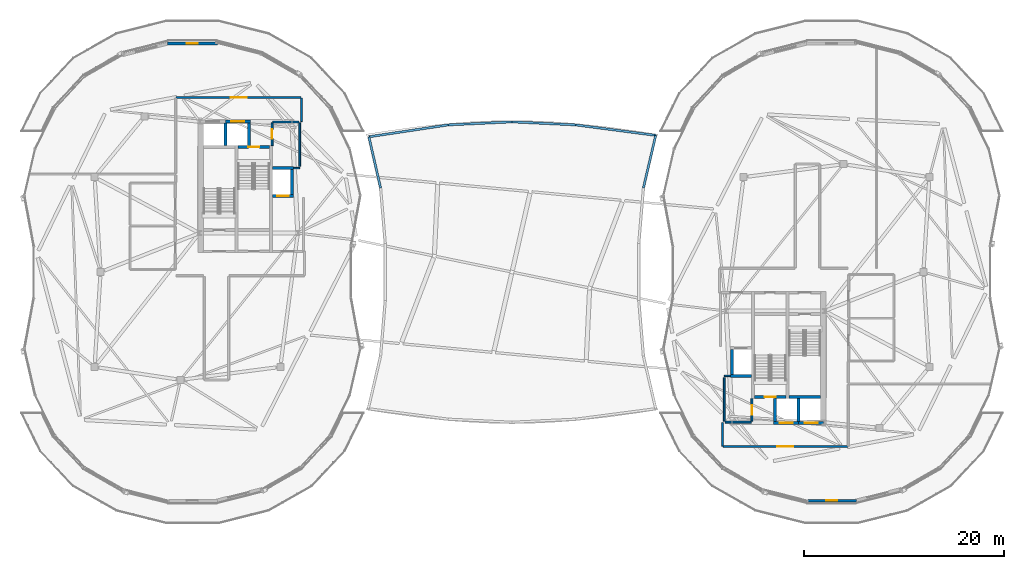
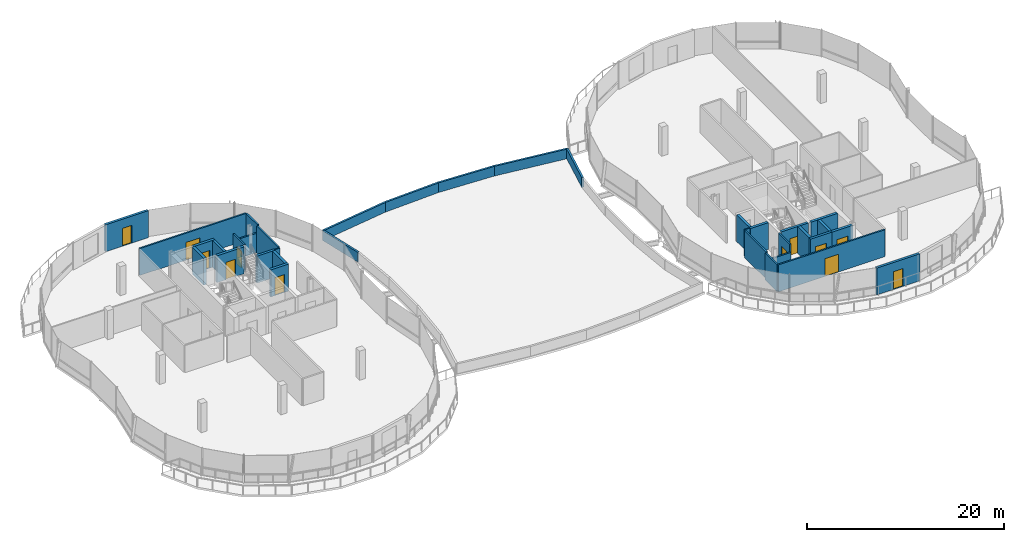
# One storey, part 21 of 31: 35 walls, 12 doors, 12 openings.
"""IFC4 building model written with IfcOpenShell, lengths in metres."""

from ifc_helpers import new_model, si_unit, direction, frame, frame_2d, origin, place, context, subcontext, project, spatial, rectangle, extrude, material, layer, layer_set, type_object, element, fill, save


model = new_model("IFC4")

# Units and contexts
model_context = context("Model", 3, precision=1e-05, world=origin(), true_north=direction((0.0, 1.0)))
body_context = subcontext(model_context, "Body", "Model", "MODEL_VIEW")
ifc_project = project(units=[si_unit("LENGTHUNIT", "METRE"), si_unit("AREAUNIT", "SQUARE_METRE"), si_unit("VOLUMEUNIT", "CUBIC_METRE"), si_unit("PLANEANGLEUNIT", "RADIAN"), si_unit("MASSUNIT", "GRAM", prefix="KILO"), si_unit("THERMODYNAMICTEMPERATUREUNIT", "KELVIN"), si_unit("POWERUNIT", "WATT")], contexts=[model_context])

# Site, building, storey
site_placement = place(None, origin())
site = spatial("IfcSite", under=ifc_project, at=site_placement, CompositionType="ELEMENT")
building_placement = place(site_placement, origin())
building = spatial("IfcBuilding", under=site, at=building_placement, Name="Cundina Bronze Exchange", CompositionType="ELEMENT")
storey_placement = place(building_placement, frame((0.0, 0.0, 275.60009765625)))
storey = spatial("IfcBuildingStorey", under=building, at=storey_placement, Name="L73", CompositionType="ELEMENT", Elevation=275.60009765625)

# Walls
ifc_material_1 = material(Name="Gypsum Fireboard Partition EI120")
ifc_layer_1 = layer(ifc_material_1, 0.179931640625, Name="Gypsum Fireboard Partition EI120")
ifc_layer_set_1 = layer_set([ifc_layer_1], Name="Gypsum Fireboard Partition EI120")
wall_type_1 = type_object("IfcWallType", Name="WL-COR-180", PredefinedType="PARTITIONING", material=ifc_layer_set_1)
wall_1_placement = place(storey_placement, frame((-21.25, 10.570068359375, 0.0), z_axis=(0.0, 0.0, 1.0), x_axis=(0.0, 1.0, 0.0)))
element("IfcWall", 1, at=wall_1_placement, inside=storey, type_object=wall_type_1, Name="L73 Interior Partition 002", PredefinedType="PARTITIONING", context=body_context, shape_type="SweptSolid", body=[
    extrude(rectangle(XDim=4.35986328125, YDim=0.179931640625, at=frame_2d((2.179931640625, 0.0))), origin(), (0.0, 0.0, 1.0), 3.33984375),
])
wall_2_placement = place(storey_placement, frame((-23.9599609375, 15.030029296875, 0.0), z_axis=(0.0, 0.0, 1.0), x_axis=(1.0, 0.0, 0.0)))
element("IfcWall", 2, at=wall_2_placement, inside=storey, type_object=wall_type_1, Name="L73 Interior Partition 003", PredefinedType="PARTITIONING", context=body_context, shape_type="SweptSolid", body=[
    extrude(rectangle(XDim=2.60986328125, YDim=0.179931640625, at=frame_2d((1.304931640625, 0.0))), origin(), (0.0, 0.0, 1.0), 2.412841796875),
])

# Wall, opening, door
wall_3_placement = place(storey_placement, frame((-24.02001953125, 12.669921875, 0.0), z_axis=(0.0, 0.0, 1.0), x_axis=(0.0, 1.0, 0.0)))
wall_3 = element("IfcWall", 3, at=wall_3_placement, inside=storey, type_object=wall_type_1, Name="L73 Interior Partition 005", PredefinedType="PARTITIONING", context=body_context, shape_type="SweptSolid", body=[
    extrude(rectangle(XDim=2.260009765625, YDim=0.179931640625, at=frame_2d((1.1298828125, 0.0))), origin(), (0.0, 0.0, 1.0), 3.33984375),
])
opening_1_placement = place(wall_3_placement, frame((0.655029296875, 0.0, 0.0)))
opening_1 = element("IfcOpeningElement", 4, at=opening_1_placement, cuts=wall_3, Name="Opening DW-01", PredefinedType="OPENING", context=body_context, shape_type="SweptSolid", body=[
    extrude(rectangle(XDim=0.949951171875, YDim=2.10009765625, at=frame_2d((0.47509765625, 1.050048828125))), frame((0.0, 0.099853515625, 0.0), z_axis=(0.0, -1.0, 0.0), x_axis=(1.0, 0.0, 0.0)), (0.0, 0.0, 1.0), 0.199951171875),
])
ifc_material_2 = material(Name="Solid Andean Oak Timber Grade A", Category="wood")
door_type_1 = type_object("IfcDoorType", Name="DR-WC-950", OperationType="NOTDEFINED", PredefinedType="DOOR", material=ifc_material_2)
door_1_placement = place(opening_1_placement, origin())
door_1 = element("IfcDoor", 5, at=door_1_placement, inside=storey, type_object=door_type_1, Name="L73 Interior Door 005", OperationType="SINGLE_SWING_LEFT", OverallHeight=2.10009765625, OverallWidth=0.949951171875, PredefinedType="DOOR", context=body_context, shape_type="SweptSolid", body=[
    extrude(rectangle(XDim=0.949951171875, YDim=2.10009765625, at=frame_2d((0.47509765625, 1.050048828125))), frame((0.0, 0.02490234375, 0.0), z_axis=(0.0, -1.0, 0.0), x_axis=(1.0, 0.0, 0.0)), (0.0, 0.0, 1.0), 0.050048828125),
])
fill(opening_1, door_1)

wall_4_placement = place(storey_placement, frame((-21.12158203125, 17.469970703125, 0.0), z_axis=(0.0, 0.0, 1.0), x_axis=(-1.0, 0.0, 0.0)))
wall_4 = element("IfcWall", 6, at=wall_4_placement, inside=storey, type_object=wall_type_1, Name="L73 Interior Partition 014", PredefinedType="PARTITIONING", context=body_context, shape_type="SweptSolid", body=[
    extrude(rectangle(XDim=12.5068359375, YDim=0.179931640625, at=frame_2d((6.25341796875, 0.0))), origin(), (0.0, 0.0, 1.0), 3.33984375),
])
opening_2_placement = place(wall_4_placement, frame((5.45361328125, 0.0, 0.0)))
opening_2 = element("IfcOpeningElement", 7, at=opening_2_placement, cuts=wall_4, Name="Opening DO-02", PredefinedType="OPENING", context=body_context, shape_type="SweptSolid", body=[
    extrude(rectangle(XDim=1.60009765625, YDim=2.199951171875, at=frame_2d((0.800048828125, 1.10009765625))), frame((0.0, 0.099853515625, 0.0), z_axis=(0.0, -1.0, 0.0), x_axis=(1.0, 0.0, 0.0)), (0.0, 0.0, 1.0), 0.199951171875),
])
door_type_2 = type_object("IfcDoorType", Name="DR-TRD-1600", OperationType="NOTDEFINED", PredefinedType="DOOR", material=ifc_material_2)
door_2_placement = place(opening_2_placement, origin())
door_2 = element("IfcDoor", 8, at=door_2_placement, inside=storey, type_object=door_type_2, Name="L73 Interior Door 014", OperationType="SINGLE_SWING_LEFT", OverallHeight=2.199951171875, OverallWidth=1.60009765625, PredefinedType="DOOR", context=body_context, shape_type="SweptSolid", body=[
    extrude(rectangle(XDim=1.60009765625, YDim=2.199951171875, at=frame_2d((0.800048828125, 1.10009765625))), frame((0.0, 0.02490234375, 0.0), z_axis=(0.0, -1.0, 0.0), x_axis=(1.0, 0.0, 0.0)), (0.0, 0.0, 1.0), 0.050048828125),
])
fill(opening_2, door_2)

# Walls
wall_5_placement = place(storey_placement, frame((-21.080078125, 15.071533203125, 0.0), z_axis=(0.0, 0.0, 1.0), x_axis=(0.0, 1.0, 0.0)))
element("IfcWall", 9, at=wall_5_placement, inside=storey, type_object=wall_type_1, Name="L73 Interior Partition 022", PredefinedType="PARTITIONING", context=body_context, shape_type="SweptSolid", body=[
    extrude(rectangle(XDim=2.35693359375, YDim=0.179931640625, at=frame_2d((1.178466796875, 0.0))), origin(), (0.0, 0.0, 1.0), 3.33984375),
])
wall_6_placement = place(storey_placement, frame((21.25, -14.929931640625, 0.0), z_axis=(0.0, 0.0, 1.0), x_axis=(0.0, 1.0, 0.0)))
element("IfcWall", 10, at=wall_6_placement, inside=storey, type_object=wall_type_1, Name="L73 Interior Partition 025", PredefinedType="PARTITIONING", context=body_context, shape_type="SweptSolid", body=[
    extrude(rectangle(XDim=4.35986328125, YDim=0.179931640625, at=frame_2d((2.179931640625, 0.0))), origin(), (0.0, 0.0, 1.0), 3.33984375),
])
wall_7_placement = place(storey_placement, frame((21.35009765625, -15.030029296875, 0.0), z_axis=(0.0, 0.0, 1.0), x_axis=(1.0, 0.0, 0.0)))
element("IfcWall", 11, at=wall_7_placement, inside=storey, type_object=wall_type_1, Name="L73 Interior Partition 026", PredefinedType="PARTITIONING", context=body_context, shape_type="SweptSolid", body=[
    extrude(rectangle(XDim=2.60986328125, YDim=0.179931640625, at=frame_2d((1.304931640625, 0.0))), origin(), (0.0, 0.0, 1.0), 2.412841796875),
])

# Wall, opening, door
wall_8_placement = place(storey_placement, frame((24.02001953125, -14.929931640625, 0.0), z_axis=(0.0, 0.0, 1.0), x_axis=(0.0, 1.0, 0.0)))
wall_8 = element("IfcWall", 12, at=wall_8_placement, inside=storey, type_object=wall_type_1, Name="L73 Interior Partition 028", PredefinedType="PARTITIONING", context=body_context, shape_type="SweptSolid", body=[
    extrude(rectangle(XDim=2.260009765625, YDim=0.179931640625, at=frame_2d((1.1298828125, 0.0))), origin(), (0.0, 0.0, 1.0), 3.33984375),
])
opening_3_placement = place(wall_8_placement, frame((0.655029296875, 0.0, 0.0)))
opening_3 = element("IfcOpeningElement", 13, at=opening_3_placement, cuts=wall_8, Name="Opening DW-01", PredefinedType="OPENING", context=body_context, shape_type="SweptSolid", body=[
    extrude(rectangle(XDim=0.949951171875, YDim=2.10009765625, at=frame_2d((0.47509765625, 1.050048828125))), frame((0.0, 0.099853515625, 0.0), z_axis=(0.0, -1.0, 0.0), x_axis=(1.0, 0.0, 0.0)), (0.0, 0.0, 1.0), 0.199951171875),
])
door_3_placement = place(opening_3_placement, origin())
door_3 = element("IfcDoor", 14, at=door_3_placement, inside=storey, type_object=door_type_1, Name="L73 Interior Door 028", OperationType="SINGLE_SWING_RIGHT", OverallHeight=2.10009765625, OverallWidth=0.949951171875, PredefinedType="DOOR", context=body_context, shape_type="SweptSolid", body=[
    extrude(rectangle(XDim=0.949951171875, YDim=2.10009765625, at=frame_2d((0.47509765625, 1.050048828125))), frame((0.0, 0.02490234375, 0.0), z_axis=(0.0, -1.0, 0.0), x_axis=(1.0, 0.0, 0.0)), (0.0, 0.0, 1.0), 0.050048828125),
])
fill(opening_3, door_3)

wall_9_placement = place(storey_placement, frame((21.12158203125, -17.469970703125, 0.0), z_axis=(0.0, 0.0, 1.0), x_axis=(1.0, 0.0, 0.0)))
wall_9 = element("IfcWall", 15, at=wall_9_placement, inside=storey, type_object=wall_type_1, Name="L73 Interior Partition 038", PredefinedType="PARTITIONING", context=body_context, shape_type="SweptSolid", body=[
    extrude(rectangle(XDim=12.5068359375, YDim=0.179931640625, at=frame_2d((6.25341796875, 0.0))), origin(), (0.0, 0.0, 1.0), 3.33984375),
])
opening_4_placement = place(wall_9_placement, frame((5.45361328125, 0.0, 0.0)))
opening_4 = element("IfcOpeningElement", 16, at=opening_4_placement, cuts=wall_9, Name="Opening DO-02", PredefinedType="OPENING", context=body_context, shape_type="SweptSolid", body=[
    extrude(rectangle(XDim=1.60009765625, YDim=2.199951171875, at=frame_2d((0.800048828125, 1.10009765625))), frame((0.0, 0.099853515625, 0.0), z_axis=(0.0, -1.0, 0.0), x_axis=(1.0, 0.0, 0.0)), (0.0, 0.0, 1.0), 0.199951171875),
])
door_4_placement = place(opening_4_placement, origin())
door_4 = element("IfcDoor", 17, at=door_4_placement, inside=storey, type_object=door_type_2, Name="L73 Interior Door 038", OperationType="SINGLE_SWING_RIGHT", OverallHeight=2.199951171875, OverallWidth=1.60009765625, PredefinedType="DOOR", context=body_context, shape_type="SweptSolid", body=[
    extrude(rectangle(XDim=1.60009765625, YDim=2.199951171875, at=frame_2d((0.800048828125, 1.10009765625))), frame((0.0, 0.02490234375, 0.0), z_axis=(0.0, -1.0, 0.0), x_axis=(1.0, 0.0, 0.0)), (0.0, 0.0, 1.0), 0.050048828125),
])
fill(opening_4, door_4)

# Wall
wall_10_placement = place(storey_placement, frame((21.080078125, -15.071533203125, 0.0), z_axis=(0.0, 0.0, 1.0), x_axis=(0.0, -1.0, 0.0)))
element("IfcWall", 18, at=wall_10_placement, inside=storey, type_object=wall_type_1, Name="L73 Interior Partition 046", PredefinedType="PARTITIONING", context=body_context, shape_type="SweptSolid", body=[
    extrude(rectangle(XDim=2.35693359375, YDim=0.179931640625, at=frame_2d((1.178466796875, 0.0))), origin(), (0.0, 0.0, 1.0), 3.33984375),
])

# Wall, opening, door
ifc_material_3 = material(Name="Precast Concrete C45/55", Category="concrete")
ifc_layer_2 = layer(ifc_material_3, 0.280029296875, Name="Precast Concrete C45/55", Category="concrete")
ifc_layer_set_2 = layer_set([ifc_layer_2], Name="Precast Concrete C45/55")
wall_type_2 = type_object("IfcWallType", Name="WL-EXT-280", PredefinedType="SOLIDWALL", material=ifc_layer_set_2)
wall_11_placement = place(storey_placement, frame((-29.482421875, 22.894775390625, 0.0), z_axis=(0.0, 0.0, 1.0), x_axis=(-1.0, 0.0, 0.0)))
wall_11 = element("IfcWall", 19, at=wall_11_placement, inside=storey, type_object=wall_type_2, Name="L73 Leg W Crown Terrace Wall 06", PredefinedType="SOLIDWALL", context=body_context, shape_type="SweptSolid", body=[
    extrude(rectangle(XDim=5.03515625, YDim=0.280029296875, at=frame_2d((2.517578125, 0.0))), origin(), (0.0, 0.0, 1.0), 3.33984375),
])
opening_5_placement = place(wall_11_placement, frame((1.968017578125, 0.0, 0.0)))
opening_5 = element("IfcOpeningElement", 20, at=opening_5_placement, cuts=wall_11, Name="Opening DT-01", PredefinedType="OPENING", context=body_context, shape_type="SweptSolid", body=[
    extrude(rectangle(XDim=1.10009765625, YDim=2.199951171875, at=frame_2d((0.550048828125, 1.10009765625))), frame((0.0, 0.14990234375, 0.0), z_axis=(0.0, -1.0, 0.0), x_axis=(1.0, 0.0, 0.0)), (0.0, 0.0, 1.0), 0.300048828125),
])
ifc_material_4 = material(Name="Anodised Bronze Aluminium 6063-T6", Category="aluminium")
door_type_3 = type_object("IfcDoorType", Name="DR-TER-1100", OperationType="NOTDEFINED", PredefinedType="DOOR", material=ifc_material_4)
door_5_placement = place(opening_5_placement, origin())
door_5 = element("IfcDoor", 21, at=door_5_placement, inside=storey, type_object=door_type_3, Name="L73 Leg W Planted Terrace Access Door 06", OperationType="SINGLE_SWING_LEFT", OverallHeight=2.199951171875, OverallWidth=1.10009765625, PredefinedType="DOOR", context=body_context, shape_type="SweptSolid", body=[
    extrude(rectangle(XDim=1.10009765625, YDim=2.199951171875, at=frame_2d((0.550048828125, 1.10009765625))), frame((0.0, 0.02490234375, 0.0), z_axis=(0.0, -1.0, 0.0), x_axis=(1.0, 0.0, 0.0)), (0.0, 0.0, 1.0), 0.050048828125),
])
fill(opening_5, door_5)

wall_12_placement = place(storey_placement, frame((29.482421875, -22.894775390625, 0.0), z_axis=(0.0, 0.0, 1.0), x_axis=(1.0, 0.0, 0.0)))
wall_12 = element("IfcWall", 22, at=wall_12_placement, inside=storey, type_object=wall_type_2, Name="L73 Leg E Crown Terrace Wall 20", PredefinedType="SOLIDWALL", context=body_context, shape_type="SweptSolid", body=[
    extrude(rectangle(XDim=5.03515625, YDim=0.280029296875, at=frame_2d((2.517578125, 0.0))), origin(), (0.0, 0.0, 1.0), 3.33984375),
])
opening_6_placement = place(wall_12_placement, frame((1.968017578125, 0.0, 0.0)))
opening_6 = element("IfcOpeningElement", 23, at=opening_6_placement, cuts=wall_12, Name="Opening DT-01", PredefinedType="OPENING", context=body_context, shape_type="SweptSolid", body=[
    extrude(rectangle(XDim=1.10009765625, YDim=2.199951171875, at=frame_2d((0.550048828125, 1.10009765625))), frame((0.0, 0.14990234375, 0.0), z_axis=(0.0, -1.0, 0.0), x_axis=(1.0, 0.0, 0.0)), (0.0, 0.0, 1.0), 0.300048828125),
])
door_6_placement = place(opening_6_placement, origin())
door_6 = element("IfcDoor", 24, at=door_6_placement, inside=storey, type_object=door_type_3, Name="L73 Leg E Planted Terrace Access Door 20", OperationType="SINGLE_SWING_RIGHT", OverallHeight=2.199951171875, OverallWidth=1.10009765625, PredefinedType="DOOR", context=body_context, shape_type="SweptSolid", body=[
    extrude(rectangle(XDim=1.10009765625, YDim=2.199951171875, at=frame_2d((0.550048828125, 1.10009765625))), frame((0.0, 0.02490234375, 0.0), z_axis=(0.0, -1.0, 0.0), x_axis=(1.0, 0.0, 0.0)), (0.0, 0.0, 1.0), 0.050048828125),
])
fill(opening_6, door_6)

# Walls
ifc_layer_3 = layer(ifc_material_3, 0.219970703125, Name="Precast Concrete C45/55", Category="concrete")
ifc_layer_set_3 = layer_set([ifc_layer_3], Name="Precast Concrete C45/55")
wall_type_3 = type_object("IfcWallType", Name="WL-PAR-220", PredefinedType="PARAPET", material=ifc_layer_set_3)
wall_13_placement = place(storey_placement, frame((-14.33154296875, 13.543212890625, 0.0), z_axis=(0.0, 0.0, 1.0), x_axis=(0.988945488824, 0.148279533765, 0.0)))
element("IfcWall", 25, at=wall_13_placement, inside=storey, type_object=wall_type_3, Name="L73 Sky-Gate Bridge Roof Parapet 01", PredefinedType="PARAPET", context=body_context, shape_type="SweptSolid", body=[
    extrude(rectangle(XDim=8.034912109375, YDim=0.219970703125, at=frame_2d((4.017578125, 0.0))), origin(), (0.0, 0.0, 1.0), 1.199951171875),
])
for number, where, z_axis, x_axis, name in (
    (26, (-6.385498046875, 14.734619140625, 0.0), (0.0, 0.0, 1.0), (0.998858092848, 0.047775625087, 0.0), "L73 Sky-Gate Bridge Roof Parapet 02"),
    (27, (0.0, 15.0400390625, 0.0), (0.0, 0.0, 1.0), (0.998858092848, -0.047775625087, 0.0), "L73 Sky-Gate Bridge Roof Parapet 03"),
):
    element("IfcWall", number, at=place(storey_placement, frame(where, z_axis=z_axis, x_axis=x_axis)), inside=storey, type_object=wall_type_3, Name=name, PredefinedType="PARAPET", context=body_context, shape_type="SweptSolid", body=[
        extrude(rectangle(XDim=6.392822265625, YDim=0.219970703125, at=frame_2d((3.1962890625, 0.0))), origin(), (0.0, 0.0, 1.0), 1.199951171875),
    ])
wall_14_placement = place(storey_placement, frame((6.385498046875, 14.734619140625, 0.0), z_axis=(0.0, 0.0, 1.0), x_axis=(0.991537935371, -0.129817266649, 0.0)))
element("IfcWall", 28, at=wall_14_placement, inside=storey, type_object=wall_type_3, Name="L73 Sky-Gate Bridge Roof Parapet 04", PredefinedType="PARAPET", context=body_context, shape_type="SweptSolid", body=[
    extrude(rectangle(XDim=8.077392578125, YDim=0.219970703125, at=frame_2d((4.03857421875, 0.0))), origin(), (0.0, 0.0, 1.0), 1.199951171875),
])
wall_15_placement = place(storey_placement, frame((14.39453125, 13.68603515625, 0.0), z_axis=(0.0, 0.0, 1.0), x_axis=(-0.228628890587, -0.973513651876, 0.0)))
element("IfcWall", 29, at=wall_15_placement, inside=storey, type_object=wall_type_3, Name="L73 Sky-Gate Bridge Roof Parapet 05", PredefinedType="PARAPET", context=body_context, shape_type="SweptSolid", body=[
    extrude(rectangle(XDim=5.404296875, YDim=0.219970703125, at=frame_2d((2.7021484375, 0.0))), origin(), (0.0, 0.0, 1.0), 1.199951171875),
])
wall_16_placement = place(storey_placement, frame((-13.155517578125, 8.40234375, 0.0), z_axis=(0.0, 0.0, 1.0), x_axis=(-0.222999523795, 0.974818553571, 0.0)))
element("IfcWall", 30, at=wall_16_placement, inside=storey, type_object=wall_type_3, Name="L73 Sky-Gate Bridge Roof Parapet 18", PredefinedType="PARAPET", context=body_context, shape_type="SweptSolid", body=[
    extrude(rectangle(XDim=5.273681640625, YDim=0.219970703125, at=frame_2d((2.63671875, 0.0))), origin(), (0.0, 0.0, 1.0), 1.199951171875),
])

# Wall, opening, door
ifc_material_5 = material(Name="Concrete C50/60", Category="concrete")
ifc_layer_4 = layer(ifc_material_5, 0.300048828125, Name="Concrete C50/60", Category="concrete")
ifc_layer_set_4 = layer_set([ifc_layer_4], Name="Concrete C50/60")
wall_type_4 = type_object("IfcWallType", Name="WL-SHFT-300", PredefinedType="SHEAR", material=ifc_layer_set_4)
wall_17_placement = place(storey_placement, frame((-27.43994140625, 12.5, 0.0), z_axis=(0.0, 0.0, 1.0), x_axis=(1.0, 0.0, 0.0)))
wall_17 = element("IfcWall", 31, at=wall_17_placement, inside=storey, type_object=wall_type_4, Name="L73 Stair W2 Landing Wall", PredefinedType="SHEAR", context=body_context, shape_type="SweptSolid", body=[
    extrude(rectangle(XDim=3.159912109375, YDim=0.300048828125, at=frame_2d((1.580078125, 0.0))), origin(), (0.0, 0.0, 1.0), 3.33984375),
])
opening_7_placement = place(wall_17_placement, frame((1.030029296875, 0.0, 0.0)))
opening_7 = element("IfcOpeningElement", 32, at=opening_7_placement, cuts=wall_17, Name="Opening DS-01", PredefinedType="OPENING", context=body_context, shape_type="SweptSolid", body=[
    extrude(rectangle(XDim=1.10009765625, YDim=2.14990234375, at=frame_2d((0.550048828125, 1.074951171875))), frame((0.0, 0.159912109375, 0.0), z_axis=(0.0, -1.0, 0.0), x_axis=(1.0, 0.0, 0.0)), (0.0, 0.0, 1.0), 0.320068359375),
])
ifc_material_6 = material(Name="Steel ASTM A36 Painted", Category="steel")
door_type_4 = type_object("IfcDoorType", Name="DR-STR-1100", OperationType="NOTDEFINED", PredefinedType="DOOR", material=ifc_material_6)
door_7_placement = place(opening_7_placement, origin())
door_7 = element("IfcDoor", 33, at=door_7_placement, inside=storey, type_object=door_type_4, Name="L73 Smokeproof Stair W2 Door", OperationType="SINGLE_SWING_LEFT", OverallHeight=2.14990234375, OverallWidth=1.10009765625, PredefinedType="DOOR", context=body_context, shape_type="SweptSolid", body=[
    extrude(rectangle(XDim=1.10009765625, YDim=2.14990234375, at=frame_2d((0.550048828125, 1.074951171875))), frame((0.0, 0.02490234375, 0.0), z_axis=(0.0, -1.0, 0.0), x_axis=(1.0, 0.0, 0.0)), (0.0, 0.0, 1.0), 0.050048828125),
])
fill(opening_7, door_7)

wall_18_placement = place(storey_placement, frame((-23.97998046875, 7.60009765625, 0.0), z_axis=(0.0, 0.0, 1.0), x_axis=(1.0, 0.0, 0.0)))
wall_18 = element("IfcWall", 34, at=wall_18_placement, inside=storey, type_object=wall_type_4, Name="L73 FFL-W Hoistway Front Wall", PredefinedType="SHEAR", context=body_context, shape_type="SweptSolid", body=[
    extrude(rectangle(XDim=2.10009765625, YDim=0.300048828125, at=frame_2d((1.050048828125, 0.0))), origin(), (0.0, 0.0, 1.0), 3.33984375),
])
opening_8_placement = place(wall_18_placement, frame((0.47509765625, 0.0, 0.0)))
opening_8 = element("IfcOpeningElement", 35, at=opening_8_placement, cuts=wall_18, Name="Opening LD-01", PredefinedType="OPENING", context=body_context, shape_type="SweptSolid", body=[
    extrude(rectangle(XDim=1.14990234375, YDim=2.199951171875, at=frame_2d((0.574951171875, 1.10009765625))), frame((0.0, 0.159912109375, 0.0), z_axis=(0.0, -1.0, 0.0), x_axis=(1.0, 0.0, 0.0)), (0.0, 0.0, 1.0), 0.320068359375),
])
door_type_5 = type_object("IfcDoorType", Name="DR-LND-1150", OperationType="NOTDEFINED", PredefinedType="TRAPDOOR", material=ifc_material_6)
door_8_placement = place(opening_8_placement, origin())
door_8 = element("IfcDoor", 36, at=door_8_placement, inside=storey, type_object=door_type_5, Name="L73 FFL-W Sliding Landing Door", OperationType="SLIDING_TO_LEFT", OverallHeight=2.199951171875, OverallWidth=1.14990234375, PredefinedType="TRAPDOOR", context=body_context, shape_type="SweptSolid", body=[
    extrude(rectangle(XDim=1.14990234375, YDim=2.199951171875, at=frame_2d((0.574951171875, 1.10009765625))), frame((0.0, 0.02490234375, 0.0), z_axis=(0.0, -1.0, 0.0), x_axis=(1.0, 0.0, 0.0)), (0.0, 0.0, 1.0), 0.050048828125),
])
fill(opening_8, door_8)

# Walls
wall_19_placement = place(storey_placement, frame((-23.97998046875, 10.39990234375, 0.0), z_axis=(0.0, 0.0, 1.0), x_axis=(1.0, 0.0, 0.0)))
element("IfcWall", 37, at=wall_19_placement, inside=storey, type_object=wall_type_4, Name="L73 FFL-W Hoistway Back Wall", PredefinedType="SHEAR", context=body_context, shape_type="SweptSolid", body=[
    extrude(rectangle(XDim=2.10009765625, YDim=0.300048828125, at=frame_2d((1.050048828125, 0.0))), origin(), (0.0, 0.0, 1.0), 3.33984375),
])
wall_20_placement = place(storey_placement, frame((-22.030029296875, 7.75, 0.0), z_axis=(0.0, 0.0, 1.0), x_axis=(0.0, 1.0, 0.0)))
element("IfcWall", 38, at=wall_20_placement, inside=storey, type_object=wall_type_4, Name="L73 FFL-W Hoistway Side Wall", PredefinedType="SHEAR", context=body_context, shape_type="SweptSolid", body=[
    extrude(rectangle(XDim=2.5, YDim=0.300048828125, at=frame_2d((1.25, 0.0))), origin(), (0.0, 0.0, 1.0), 3.33984375),
])
wall_21_placement = place(storey_placement, frame((-28.699951171875, 12.64990234375, 0.0), z_axis=(0.0, 0.0, 1.0), x_axis=(0.0, 1.0, 0.0)))
element("IfcWall", 39, at=wall_21_placement, inside=storey, type_object=wall_type_4, Name="L73 PH-W1 Hoistway Divider Wall", PredefinedType="SHEAR", context=body_context, shape_type="SweptSolid", body=[
    extrude(rectangle(XDim=2.300048828125, YDim=0.300048828125, at=frame_2d((1.14990234375, 0.0))), origin(), (0.0, 0.0, 1.0), 3.33984375),
])

# Wall, opening, door
wall_22_placement = place(storey_placement, frame((-28.699951171875, 15.10009765625, 0.0), z_axis=(0.0, 0.0, 1.0), x_axis=(1.0, 0.0, 0.0)))
wall_22 = element("IfcWall", 40, at=wall_22_placement, inside=storey, type_object=wall_type_4, Name="L73 PH-W2 Hoistway Front Wall", PredefinedType="SHEAR", context=body_context, shape_type="SweptSolid", body=[
    extrude(rectangle(XDim=2.5, YDim=0.300048828125, at=frame_2d((1.25, 0.0))), origin(), (0.0, 0.0, 1.0), 3.33984375),
])
opening_9_placement = place(wall_22_placement, frame((0.60009765625, 0.0, 0.0)))
opening_9 = element("IfcOpeningElement", 41, at=opening_9_placement, cuts=wall_22, Name="Opening LD-02", PredefinedType="OPENING", context=body_context, shape_type="SweptSolid", body=[
    extrude(rectangle(XDim=1.300048828125, YDim=2.199951171875, at=frame_2d((0.64990234375, 1.10009765625))), frame((0.0, 0.159912109375, 0.0), z_axis=(0.0, -1.0, 0.0), x_axis=(1.0, 0.0, 0.0)), (0.0, 0.0, 1.0), 0.320068359375),
])
door_type_6 = type_object("IfcDoorType", Name="DR-LND-1300", OperationType="NOTDEFINED", PredefinedType="TRAPDOOR", material=ifc_material_6)
door_9_placement = place(opening_9_placement, origin())
door_9 = element("IfcDoor", 42, at=door_9_placement, inside=storey, type_object=door_type_6, Name="L73 PH-W2 Sliding Landing Door", OperationType="SLIDING_TO_LEFT", OverallHeight=2.199951171875, OverallWidth=1.300048828125, PredefinedType="TRAPDOOR", context=body_context, shape_type="SweptSolid", body=[
    extrude(rectangle(XDim=1.300048828125, YDim=2.199951171875, at=frame_2d((0.64990234375, 1.10009765625))), frame((0.0, 0.02490234375, 0.0), z_axis=(0.0, -1.0, 0.0), x_axis=(1.0, 0.0, 0.0)), (0.0, 0.0, 1.0), 0.050048828125),
])
fill(opening_9, door_9)

# Walls
wall_23_placement = place(storey_placement, frame((-26.35009765625, 12.64990234375, 0.0), z_axis=(0.0, 0.0, 1.0), x_axis=(0.0, 1.0, 0.0)))
element("IfcWall", 43, at=wall_23_placement, inside=storey, type_object=wall_type_4, Name="L73 PH-W2 Hoistway Divider Wall", PredefinedType="SHEAR", context=body_context, shape_type="SweptSolid", body=[
    extrude(rectangle(XDim=2.300048828125, YDim=0.300048828125, at=frame_2d((1.14990234375, 0.0))), origin(), (0.0, 0.0, 1.0), 3.33984375),
])
wall_24_placement = place(storey_placement, frame((27.739990234375, -12.5, 0.0), z_axis=(0.0, 0.0, 1.0), x_axis=(1.0, 0.0, 0.0)))
element("IfcWall", 44, at=wall_24_placement, inside=storey, type_object=wall_type_4, Name="L73 Stair E1 Far Shaft Wall", PredefinedType="SHEAR", context=body_context, shape_type="SweptSolid", body=[
    extrude(rectangle(XDim=3.159912109375, YDim=0.300048828125, at=frame_2d((1.580078125, 0.0))), origin(), (0.0, 0.0, 1.0), 3.33984375),
])

# Wall, opening, door
wall_25_placement = place(storey_placement, frame((24.280029296875, -12.5, 0.0), z_axis=(0.0, 0.0, 1.0), x_axis=(1.0, 0.0, 0.0)))
wall_25 = element("IfcWall", 45, at=wall_25_placement, inside=storey, type_object=wall_type_4, Name="L73 Stair E2 Landing Wall", PredefinedType="SHEAR", context=body_context, shape_type="SweptSolid", body=[
    extrude(rectangle(XDim=3.159912109375, YDim=0.300048828125, at=frame_2d((1.580078125, 0.0))), origin(), (0.0, 0.0, 1.0), 3.33984375),
])
opening_10_placement = place(wall_25_placement, frame((1.030029296875, 0.0, 0.0)))
opening_10 = element("IfcOpeningElement", 46, at=opening_10_placement, cuts=wall_25, Name="Opening DS-01", PredefinedType="OPENING", context=body_context, shape_type="SweptSolid", body=[
    extrude(rectangle(XDim=1.10009765625, YDim=2.14990234375, at=frame_2d((0.550048828125, 1.074951171875))), frame((0.0, 0.159912109375, 0.0), z_axis=(0.0, -1.0, 0.0), x_axis=(1.0, 0.0, 0.0)), (0.0, 0.0, 1.0), 0.320068359375),
])
door_10_placement = place(opening_10_placement, origin())
door_10 = element("IfcDoor", 47, at=door_10_placement, inside=storey, type_object=door_type_4, Name="L73 Smokeproof Stair E2 Door", OperationType="SINGLE_SWING_RIGHT", OverallHeight=2.14990234375, OverallWidth=1.10009765625, PredefinedType="DOOR", context=body_context, shape_type="SweptSolid", body=[
    extrude(rectangle(XDim=1.10009765625, YDim=2.14990234375, at=frame_2d((0.550048828125, 1.074951171875))), frame((0.0, 0.02490234375, 0.0), z_axis=(0.0, -1.0, 0.0), x_axis=(1.0, 0.0, 0.0)), (0.0, 0.0, 1.0), 0.050048828125),
])
fill(opening_10, door_10)

# Walls
wall_26_placement = place(storey_placement, frame((21.8798828125, -10.39990234375, 0.0), z_axis=(0.0, 0.0, 1.0), x_axis=(1.0, 0.0, 0.0)))
element("IfcWall", 48, at=wall_26_placement, inside=storey, type_object=wall_type_4, Name="L73 FFL-E Hoistway Back Wall", PredefinedType="SHEAR", context=body_context, shape_type="SweptSolid", body=[
    extrude(rectangle(XDim=2.10009765625, YDim=0.300048828125, at=frame_2d((1.050048828125, 0.0))), origin(), (0.0, 0.0, 1.0), 3.33984375),
])
wall_27_placement = place(storey_placement, frame((22.030029296875, -10.25, 0.0), z_axis=(0.0, 0.0, 1.0), x_axis=(0.0, 1.0, 0.0)))
element("IfcWall", 49, at=wall_27_placement, inside=storey, type_object=wall_type_4, Name="L73 FFL-E Hoistway Side Wall", PredefinedType="SHEAR", context=body_context, shape_type="SweptSolid", body=[
    extrude(rectangle(XDim=2.5, YDim=0.300048828125, at=frame_2d((1.25, 0.0))), origin(), (0.0, 0.0, 1.0), 3.33984375),
])

# Wall, opening, door
wall_28_placement = place(storey_placement, frame((28.699951171875, -15.10009765625, 0.0), z_axis=(0.0, 0.0, 1.0), x_axis=(1.0, 0.0, 0.0)))
wall_28 = element("IfcWall", 50, at=wall_28_placement, inside=storey, type_object=wall_type_4, Name="L73 PH-E1 Hoistway Front Wall", PredefinedType="SHEAR", context=body_context, shape_type="SweptSolid", body=[
    extrude(rectangle(XDim=2.5, YDim=0.300048828125, at=frame_2d((1.25, 0.0))), origin(), (0.0, 0.0, 1.0), 3.33984375),
])
opening_11_placement = place(wall_28_placement, frame((0.60009765625, 0.0, 0.0)))
opening_11 = element("IfcOpeningElement", 51, at=opening_11_placement, cuts=wall_28, Name="Opening LD-02", PredefinedType="OPENING", context=body_context, shape_type="SweptSolid", body=[
    extrude(rectangle(XDim=1.300048828125, YDim=2.199951171875, at=frame_2d((0.64990234375, 1.10009765625))), frame((0.0, 0.159912109375, 0.0), z_axis=(0.0, -1.0, 0.0), x_axis=(1.0, 0.0, 0.0)), (0.0, 0.0, 1.0), 0.320068359375),
])
door_11_placement = place(opening_11_placement, origin())
door_11 = element("IfcDoor", 52, at=door_11_placement, inside=storey, type_object=door_type_6, Name="L73 PH-E1 Sliding Landing Door", OperationType="SLIDING_TO_LEFT", OverallHeight=2.199951171875, OverallWidth=1.300048828125, PredefinedType="TRAPDOOR", context=body_context, shape_type="SweptSolid", body=[
    extrude(rectangle(XDim=1.300048828125, YDim=2.199951171875, at=frame_2d((0.64990234375, 1.10009765625))), frame((0.0, 0.02490234375, 0.0), z_axis=(0.0, -1.0, 0.0), x_axis=(1.0, 0.0, 0.0)), (0.0, 0.0, 1.0), 0.050048828125),
])
fill(opening_11, door_11)

# Wall
wall_29_placement = place(storey_placement, frame((28.699951171875, -14.949951171875, 0.0), z_axis=(0.0, 0.0, 1.0), x_axis=(0.0, 1.0, 0.0)))
element("IfcWall", 53, at=wall_29_placement, inside=storey, type_object=wall_type_4, Name="L73 PH-E1 Hoistway Divider Wall", PredefinedType="SHEAR", context=body_context, shape_type="SweptSolid", body=[
    extrude(rectangle(XDim=2.300048828125, YDim=0.300048828125, at=frame_2d((1.14990234375, 0.0))), origin(), (0.0, 0.0, 1.0), 3.33984375),
])

# Wall, opening, door
wall_30_placement = place(storey_placement, frame((26.199951171875, -15.10009765625, 0.0), z_axis=(0.0, 0.0, 1.0), x_axis=(1.0, 0.0, 0.0)))
wall_30 = element("IfcWall", 54, at=wall_30_placement, inside=storey, type_object=wall_type_4, Name="L73 PH-E2 Hoistway Front Wall", PredefinedType="SHEAR", context=body_context, shape_type="SweptSolid", body=[
    extrude(rectangle(XDim=2.5, YDim=0.300048828125, at=frame_2d((1.25, 0.0))), origin(), (0.0, 0.0, 1.0), 3.33984375),
])
opening_12_placement = place(wall_30_placement, frame((0.60009765625, 0.0, 0.0)))
opening_12 = element("IfcOpeningElement", 55, at=opening_12_placement, cuts=wall_30, Name="Opening LD-02", PredefinedType="OPENING", context=body_context, shape_type="SweptSolid", body=[
    extrude(rectangle(XDim=1.300048828125, YDim=2.199951171875, at=frame_2d((0.64990234375, 1.10009765625))), frame((0.0, 0.159912109375, 0.0), z_axis=(0.0, -1.0, 0.0), x_axis=(1.0, 0.0, 0.0)), (0.0, 0.0, 1.0), 0.320068359375),
])
door_12_placement = place(opening_12_placement, origin())
door_12 = element("IfcDoor", 56, at=door_12_placement, inside=storey, type_object=door_type_6, Name="L73 PH-E2 Sliding Landing Door", OperationType="SLIDING_TO_LEFT", OverallHeight=2.199951171875, OverallWidth=1.300048828125, PredefinedType="TRAPDOOR", context=body_context, shape_type="SweptSolid", body=[
    extrude(rectangle(XDim=1.300048828125, YDim=2.199951171875, at=frame_2d((0.64990234375, 1.10009765625))), frame((0.0, 0.02490234375, 0.0), z_axis=(0.0, -1.0, 0.0), x_axis=(1.0, 0.0, 0.0)), (0.0, 0.0, 1.0), 0.050048828125),
])
fill(opening_12, door_12)

# Walls
wall_31_placement = place(storey_placement, frame((26.35009765625, -14.949951171875, 0.0), z_axis=(0.0, 0.0, 1.0), x_axis=(0.0, 1.0, 0.0)))
element("IfcWall", 57, at=wall_31_placement, inside=storey, type_object=wall_type_4, Name="L73 PH-E2 Hoistway Divider Wall", PredefinedType="SHEAR", context=body_context, shape_type="SweptSolid", body=[
    extrude(rectangle(XDim=2.300048828125, YDim=0.300048828125, at=frame_2d((1.14990234375, 0.0))), origin(), (0.0, 0.0, 1.0), 3.33984375),
])
ifc_material_7 = material(Name="Moisture-Resistant Masonry Block Grade M15", Category="masonry")
ifc_layer_5 = layer(ifc_material_7, 0.139892578125, Name="Moisture-Resistant Masonry Block Grade M15", Category="masonry")
ifc_layer_set_5 = layer_set([ifc_layer_5], Name="Moisture-Resistant Masonry Block Grade M15")
wall_type_5 = type_object("IfcWallType", Name="WL-WET-140", PredefinedType="PARTITIONING", material=ifc_layer_set_5)
for number, where, z_axis, x_axis, name in (
    (58, (-21.860107421875, 10.39990234375, 0.0), (0.0, 0.0, 1.0), (1.0, 0.0, 0.0), "L73 Interior Partition 001"),
    (59, (21.27001953125, -10.39990234375, 0.0), (0.0, 0.0, 1.0), (1.0, 0.0, 0.0), "L73 Interior Partition 024"),
):
    element("IfcWall", number, at=place(storey_placement, frame(where, z_axis=z_axis, x_axis=x_axis)), inside=storey, type_object=wall_type_5, Name=name, PredefinedType="PARTITIONING", context=body_context, shape_type="SweptSolid", body=[
        extrude(rectangle(XDim=0.590087890625, YDim=0.139892578125, at=frame_2d((0.294921875, 0.0))), origin(), (0.0, 0.0, 1.0), 3.33984375),
    ])

save(model, "model.ifc")
